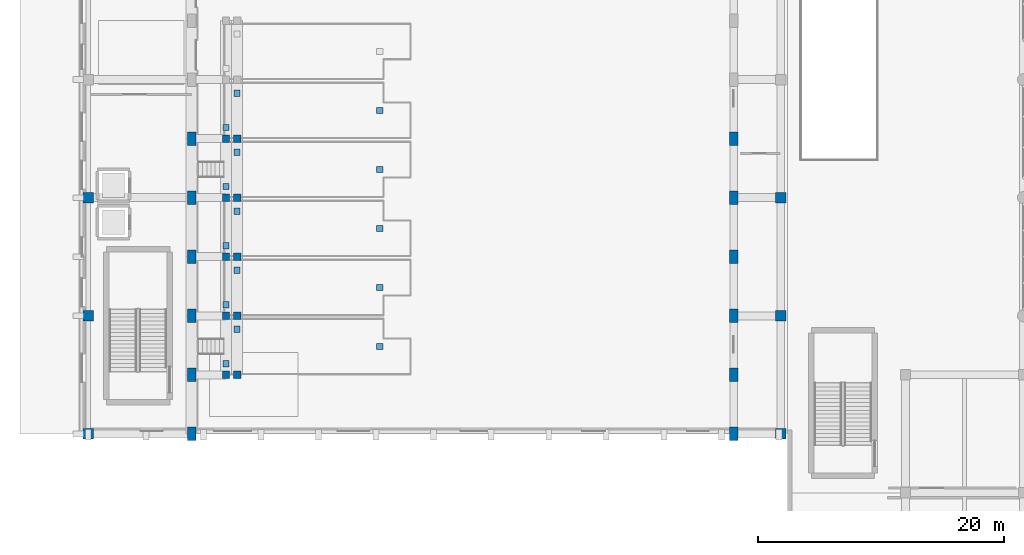
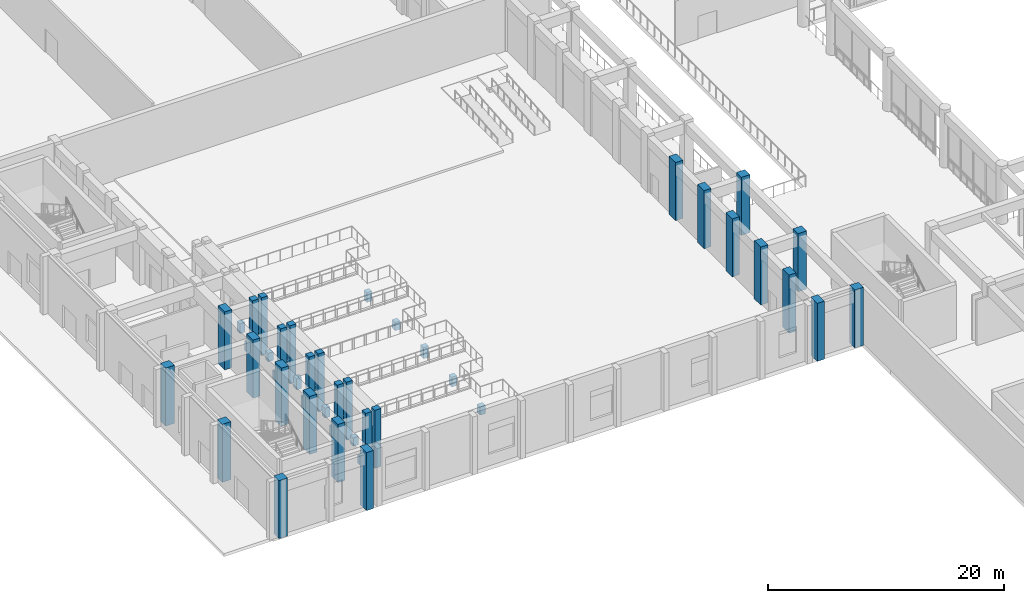
# One storey, part 1 of 87: 43 columns.
"""IFC4 building model written with IfcOpenShell, lengths in metres."""

from ifc_helpers import new_model, si_unit, direction, frame, origin, origin_2d, place, context, subcontext, project, spatial, rectangle, extrude, material, material_profile, profile_set, type_object, element, save


model = new_model("IFC4")

# Units and contexts
model_context = context("Model", 3, precision=1e-05, world=origin(), true_north=direction((0.0, 1.0)))
body_context = subcontext(model_context, "Body", "Model", "MODEL_VIEW")
ifc_project = project(units=[si_unit("LENGTHUNIT", "METRE"), si_unit("AREAUNIT", "SQUARE_METRE"), si_unit("VOLUMEUNIT", "CUBIC_METRE"), si_unit("PLANEANGLEUNIT", "RADIAN"), si_unit("MASSUNIT", "GRAM", prefix="KILO")], contexts=[model_context])

# Site, building, storey
site_placement = place(None, origin())
site = spatial("IfcSite", under=ifc_project, at=site_placement, CompositionType="ELEMENT")
building_placement = place(site_placement, origin())
building = spatial("IfcBuilding", under=site, at=building_placement, Name="Nakhvara Creek Congress Hotel", CompositionType="ELEMENT")
storey_placement = place(building_placement, origin())
storey = spatial("IfcBuildingStorey", under=building, at=storey_placement, Name="L00", CompositionType="ELEMENT", Elevation=0.0)

# Columns
ifc_material = material(Name="Concrete C50/60", Category="concrete")
ifc_material_profile_1 = material_profile(ifc_material, rectangle(XDim=0.5, YDim=0.5, at=origin_2d()), Name="RC-COL 500x500", Category="LoadBearing")
ifc_profile_set_1 = profile_set([ifc_material_profile_1], Name="Concrete C50/60")
column_type_1 = type_object("IfcColumnType", Name="COL-RC-500", PredefinedType="COLUMN", material=ifc_profile_set_1)
for number, where, z_axis, x_axis, name in (
    (1, (11.949951171875, 39.300048828125, 0.0), (0.0, 0.0, 1.0), (1.0, 0.0, 0.0), "Congress Stand Riser Pier L00-1.1"),
    (2, (12.85009765625, 42.10009765625, 0.0), (0.0, 0.0, 1.0), (1.0, 0.0, 0.0), "Congress Stand Riser Pier L00-1.2"),
    (3, (24.449951171875, 40.699951171875, 0.0), (0.0, 0.0, 1.0), (1.0, 0.0, 0.0), "Congress Stand Riser Pier L00-1.3"),
):
    element("IfcColumn", number, at=place(storey_placement, frame(where, z_axis=z_axis, x_axis=x_axis)), inside=storey, type_object=column_type_1, Name=name, PredefinedType="COLUMN", context=body_context, shape_type="SweptSolid", body=[
        extrude(rectangle(XDim=0.5, YDim=0.5, at=origin_2d()), origin(), (0.0, 0.0, 1.0), 0.860107421875),
    ])
for number, where, z_axis, x_axis, name in (
    (4, (11.949951171875, 44.10009765625, 0.0), (0.0, 0.0, 1.0), (1.0, 0.0, 0.0), "Congress Stand Riser Pier L00-2.1"),
    (5, (12.85009765625, 46.89990234375, 0.0), (0.0, 0.0, 1.0), (1.0, 0.0, 0.0), "Congress Stand Riser Pier L00-2.2"),
    (6, (24.449951171875, 45.5, 0.0), (0.0, 0.0, 1.0), (1.0, 0.0, 0.0), "Congress Stand Riser Pier L00-2.3"),
):
    element("IfcColumn", number, at=place(storey_placement, frame(where, z_axis=z_axis, x_axis=x_axis)), inside=storey, type_object=column_type_1, Name=name, PredefinedType="COLUMN", context=body_context, shape_type="SweptSolid", body=[
        extrude(rectangle(XDim=0.5, YDim=0.5, at=origin_2d()), origin(), (0.0, 0.0, 1.0), 1.010009765625),
    ])
for number, where, z_axis, x_axis, name in (
    (7, (11.949951171875, 48.89990234375, 0.0), (0.0, 0.0, 1.0), (1.0, 0.0, 0.0), "Congress Stand Riser Pier L00-3.1"),
    (8, (12.85009765625, 51.699951171875, 0.0), (0.0, 0.0, 1.0), (1.0, 0.0, 0.0), "Congress Stand Riser Pier L00-3.2"),
    (9, (24.449951171875, 50.300048828125, 0.0), (0.0, 0.0, 1.0), (1.0, 0.0, 0.0), "Congress Stand Riser Pier L00-3.3"),
):
    element("IfcColumn", number, at=place(storey_placement, frame(where, z_axis=z_axis, x_axis=x_axis)), inside=storey, type_object=column_type_1, Name=name, PredefinedType="COLUMN", context=body_context, shape_type="SweptSolid", body=[
        extrude(rectangle(XDim=0.5, YDim=0.5, at=origin_2d()), origin(), (0.0, 0.0, 1.0), 1.159912109375),
    ])
for number, where, z_axis, x_axis, name in (
    (10, (11.949951171875, 53.699951171875, 0.0), (0.0, 0.0, 1.0), (1.0, 0.0, 0.0), "Congress Stand Riser Pier L00-4.1"),
    (11, (12.85009765625, 56.5, 0.0), (0.0, 0.0, 1.0), (1.0, 0.0, 0.0), "Congress Stand Riser Pier L00-4.2"),
    (12, (24.449951171875, 55.10009765625, 0.0), (0.0, 0.0, 1.0), (1.0, 0.0, 0.0), "Congress Stand Riser Pier L00-4.3"),
):
    element("IfcColumn", number, at=place(storey_placement, frame(where, z_axis=z_axis, x_axis=x_axis)), inside=storey, type_object=column_type_1, Name=name, PredefinedType="COLUMN", context=body_context, shape_type="SweptSolid", body=[
        extrude(rectangle(XDim=0.5, YDim=0.5, at=origin_2d()), origin(), (0.0, 0.0, 1.0), 0.860107421875),
    ])
for number, where, z_axis, x_axis, name in (
    (13, (11.949951171875, 58.5, 0.0), (0.0, 0.0, 1.0), (1.0, 0.0, 0.0), "Congress Stand Riser Pier L00-5.1"),
    (14, (12.85009765625, 61.300048828125, 0.0), (0.0, 0.0, 1.0), (1.0, 0.0, 0.0), "Congress Stand Riser Pier L00-5.2"),
    (15, (24.449951171875, 59.89990234375, 0.0), (0.0, 0.0, 1.0), (1.0, 0.0, 0.0), "Congress Stand Riser Pier L00-5.3"),
):
    element("IfcColumn", number, at=place(storey_placement, frame(where, z_axis=z_axis, x_axis=x_axis)), inside=storey, type_object=column_type_1, Name=name, PredefinedType="COLUMN", context=body_context, shape_type="SweptSolid", body=[
        extrude(rectangle(XDim=0.5, YDim=0.5, at=origin_2d()), origin(), (0.0, 0.0, 1.0), 1.010009765625),
    ])
ifc_material_profile_2 = material_profile(ifc_material, rectangle(XDim=0.60009765625, YDim=0.60009765625, at=origin_2d()), Name="RC-COL 600x600", Category="LoadBearing")
ifc_profile_set_2 = profile_set([ifc_material_profile_2], Name="Concrete C50/60")
column_type_2 = type_object("IfcColumnType", Name="COL-RC-600", PredefinedType="COLUMN", material=ifc_profile_set_2)
for number, where, z_axis, x_axis, name in (
    (16, (11.949951171875, 38.39990234375, 0.0), (0.0, 0.0, 1.0), (1.0, 0.0, 0.0), "Column C08-L00-0616"),
    (17, (12.85009765625, 38.39990234375, 0.0), (0.0, 0.0, 1.0), (1.0, 0.0, 0.0), "Column C08-L00-0617"),
    (18, (11.949951171875, 43.199951171875, 0.0), (0.0, 0.0, 1.0), (1.0, 0.0, 0.0), "Column C08-L00-0618"),
    (19, (12.85009765625, 43.199951171875, 0.0), (0.0, 0.0, 1.0), (1.0, 0.0, 0.0), "Column C08-L00-0619"),
    (20, (11.949951171875, 48.0, 0.0), (0.0, 0.0, 1.0), (1.0, 0.0, 0.0), "Column C08-L00-0620"),
    (21, (12.85009765625, 48.0, 0.0), (0.0, 0.0, 1.0), (1.0, 0.0, 0.0), "Column C08-L00-0621"),
    (22, (11.949951171875, 52.800048828125, 0.0), (0.0, 0.0, 1.0), (1.0, 0.0, 0.0), "Column C08-L00-0622"),
    (23, (12.85009765625, 52.800048828125, 0.0), (0.0, 0.0, 1.0), (1.0, 0.0, 0.0), "Column C08-L00-0623"),
    (24, (11.949951171875, 57.60009765625, 0.0), (0.0, 0.0, 1.0), (1.0, 0.0, 0.0), "Column C08-L00-0624"),
    (25, (12.85009765625, 57.60009765625, 0.0), (0.0, 0.0, 1.0), (1.0, 0.0, 0.0), "Column C08-L00-0625"),
):
    element("IfcColumn", number, at=place(storey_placement, frame(where, z_axis=z_axis, x_axis=x_axis)), inside=storey, type_object=column_type_2, Name=name, PredefinedType="COLUMN", context=body_context, shape_type="SweptSolid", body=[
        extrude(rectangle(XDim=0.60009765625, YDim=0.60009765625, at=origin_2d()), origin(), (0.0, 0.0, 1.0), 6.0),
    ])
ifc_material_profile_3 = material_profile(ifc_material, rectangle(XDim=0.699951171875, YDim=1.10009765625, at=origin_2d()), Name="RC-COL 700x1100", Category="LoadBearing")
ifc_profile_set_3 = profile_set([ifc_material_profile_3], Name="Concrete C50/60")
column_type_3 = type_object("IfcColumnType", Name="COL-RC-700X1100", PredefinedType="COLUMN", material=ifc_profile_set_3)
for number, where, z_axis, x_axis, name in (
    (26, (9.14990234375, 33.60009765625, 0.0), (0.0, 0.0, 1.0), (1.0, 0.0, 0.0), "Column C12-L00-0592"),
    (27, (53.25, 33.60009765625, 0.0), (0.0, 0.0, 1.0), (1.0, 0.0, 0.0), "Column C12-L00-0593"),
    (28, (9.14990234375, 38.39990234375, 0.0), (0.0, 0.0, 1.0), (1.0, 0.0, 0.0), "Column C12-L00-0594"),
    (29, (53.25, 38.39990234375, 0.0), (0.0, 0.0, 1.0), (1.0, 0.0, 0.0), "Column C12-L00-0595"),
    (30, (9.14990234375, 43.199951171875, 0.0), (0.0, 0.0, 1.0), (1.0, 0.0, 0.0), "Column C12-L00-0596"),
    (31, (53.25, 43.199951171875, 0.0), (0.0, 0.0, 1.0), (1.0, 0.0, 0.0), "Column C12-L00-0597"),
    (32, (9.14990234375, 48.0, 0.0), (0.0, 0.0, 1.0), (1.0, 0.0, 0.0), "Column C12-L00-0598"),
    (33, (53.25, 48.0, 0.0), (0.0, 0.0, 1.0), (1.0, 0.0, 0.0), "Column C12-L00-0599"),
    (34, (9.14990234375, 52.800048828125, 0.0), (0.0, 0.0, 1.0), (1.0, 0.0, 0.0), "Column C12-L00-0600"),
    (35, (53.25, 52.800048828125, 0.0), (0.0, 0.0, 1.0), (1.0, 0.0, 0.0), "Column C12-L00-0601"),
    (36, (9.14990234375, 57.60009765625, 0.0), (0.0, 0.0, 1.0), (1.0, 0.0, 0.0), "Column C12-L00-0602"),
    (37, (53.25, 57.60009765625, 0.0), (0.0, 0.0, 1.0), (1.0, 0.0, 0.0), "Column C12-L00-0603"),
):
    element("IfcColumn", number, at=place(storey_placement, frame(where, z_axis=z_axis, x_axis=x_axis)), inside=storey, type_object=column_type_3, Name=name, PredefinedType="COLUMN", context=body_context, shape_type="SweptSolid", body=[
        extrude(rectangle(XDim=0.699951171875, YDim=1.10009765625, at=origin_2d()), origin(), (0.0, 0.0, 1.0), 6.0),
    ])
ifc_material_profile_4 = material_profile(ifc_material, rectangle(XDim=0.85009765625, YDim=0.85009765625, at=origin_2d()), Name="RC-COL 850x850", Category="LoadBearing")
ifc_profile_set_4 = profile_set([ifc_material_profile_4], Name="Concrete C50/60")
column_type_4 = type_object("IfcColumnType", Name="COL-RC-850", PredefinedType="COLUMN", material=ifc_profile_set_4)
for number, where, z_axis, x_axis, name in (
    (38, (0.75, 33.60009765625, 0.0), (0.0, 0.0, 1.0), (1.0, 0.0, 0.0), "Column C18-L00-0578"),
    (39, (57.050048828125, 33.60009765625, 0.0), (0.0, 0.0, 1.0), (1.0, 0.0, 0.0), "Column C18-L00-0579"),
    (40, (0.75, 43.199951171875, 0.0), (0.0, 0.0, 1.0), (1.0, 0.0, 0.0), "Column C18-L00-0580"),
    (41, (57.050048828125, 43.199951171875, 0.0), (0.0, 0.0, 1.0), (1.0, 0.0, 0.0), "Column C18-L00-0581"),
    (42, (0.75, 52.800048828125, 0.0), (0.0, 0.0, 1.0), (1.0, 0.0, 0.0), "Column C18-L00-0582"),
    (43, (57.050048828125, 52.800048828125, 0.0), (0.0, 0.0, 1.0), (1.0, 0.0, 0.0), "Column C18-L00-0583"),
):
    element("IfcColumn", number, at=place(storey_placement, frame(where, z_axis=z_axis, x_axis=x_axis)), inside=storey, type_object=column_type_4, Name=name, PredefinedType="COLUMN", context=body_context, shape_type="SweptSolid", body=[
        extrude(rectangle(XDim=0.85009765625, YDim=0.85009765625, at=origin_2d()), origin(), (0.0, 0.0, 1.0), 6.0),
    ])

save(model, "model.ifc")
